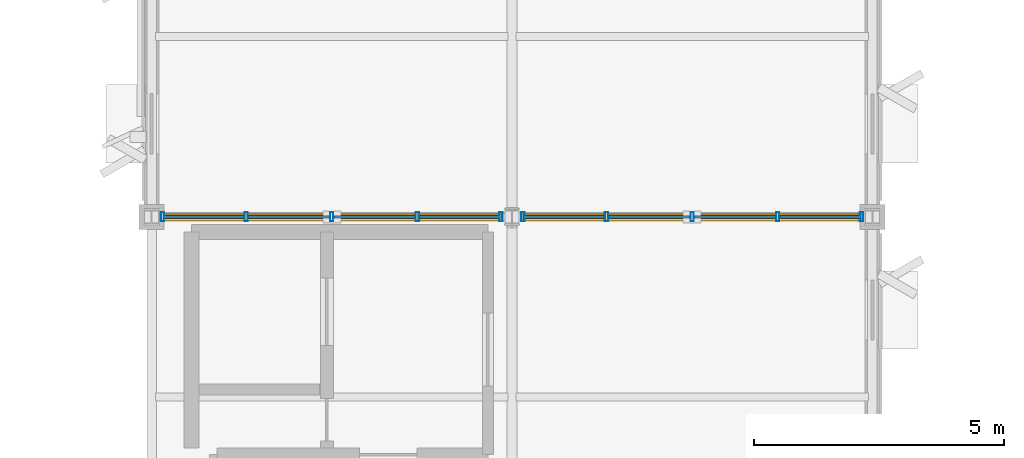
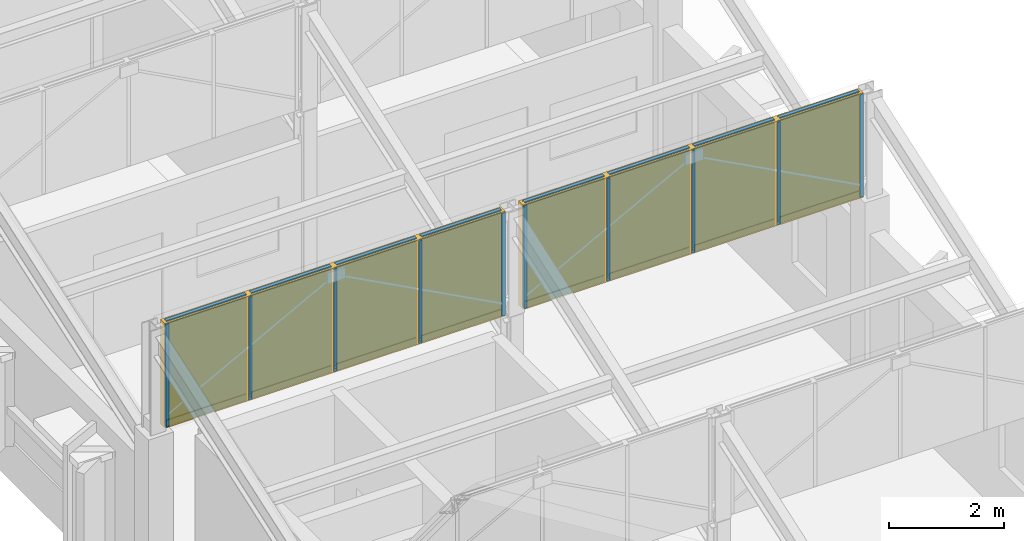
# One storey, part 53 of 82: 26 members, 8 plates, 2 curtain walls.
"""IFC4 building model written with IfcOpenShell, lengths in metres."""

from ifc_helpers import new_model, si_unit, direction, frame, origin, origin_2d, place, context, subcontext, project, spatial, rectangle, hollow_rectangle, extrude, material, layer, layer_set, material_profile, profile_set, type_object, element, aggregate, save


model = new_model("IFC4")

# Units and contexts
model_context = context("Model", 3, precision=1e-05, world=origin(), true_north=direction((0.0, 1.0)))
body_context = subcontext(model_context, "Body", "Model", "MODEL_VIEW")
ifc_project = project(units=[si_unit("LENGTHUNIT", "METRE"), si_unit("AREAUNIT", "SQUARE_METRE"), si_unit("VOLUMEUNIT", "CUBIC_METRE"), si_unit("PLANEANGLEUNIT", "RADIAN"), si_unit("MASSUNIT", "GRAM", prefix="KILO")], contexts=[model_context])

# Member
ifc_material_1 = material(Name="Anodized Aluminium 6063-T6", Category="aluminium")
ifc_material_profile_1 = material_profile(ifc_material_1, hollow_rectangle(XDim=0.06494140625, YDim=0.179931640625, WallThickness=0.00390625, at=origin_2d()), Name="ALU 65x180x4")
ifc_profile_set_1 = profile_set([ifc_material_profile_1], Name="Anodized Aluminium 6063-T6")
member_type_1 = type_object("IfcMemberType", Name="CWM-65X150", PredefinedType="MULLION", material=ifc_profile_set_1)
site_placement = place(None, origin())
building_placement = place(site_placement, origin())
storey_placement = place(building_placement, frame((0.0, 0.0, 14.10009765625)))
member_1_placement = place(storey_placement, frame((122.6201171875, 64.800048828125, 3.919921875), z_axis=(0.0, 0.0, 1.0), x_axis=(1.0, 0.0, 0.0)))
member_1 = element("IfcMember", 1, at=member_1_placement, type_object=member_type_1, Name="Curtain wall mullion CW-CLER-17-08-00", PredefinedType="MULLION", context=body_context, shape_type="SweptSolid", body=[
    extrude(hollow_rectangle(XDim=0.06494140625, YDim=0.179931640625, WallThickness=0.00390625, at=origin_2d()), origin(), (0.0, 0.0, 1.0), 2.179931640625),
])

member_2_placement = place(storey_placement, frame((124.2900390625, 64.800048828125, 3.919921875), z_axis=(0.0, 0.0, 1.0), x_axis=(1.0, 0.0, 0.0)))
member_2 = element("IfcMember", 2, at=member_2_placement, type_object=member_type_1, Name="Curtain wall mullion CW-CLER-17-08-01", PredefinedType="MULLION", context=body_context, shape_type="SweptSolid", body=[
    extrude(hollow_rectangle(XDim=0.06494140625, YDim=0.179931640625, WallThickness=0.00390625, at=origin_2d()), origin(), (0.0, 0.0, 1.0), 2.179931640625),
])

member_3_placement = place(storey_placement, frame((126.0, 64.800048828125, 3.919921875), z_axis=(0.0, 0.0, 1.0), x_axis=(1.0, 0.0, 0.0)))
member_3 = element("IfcMember", 3, at=member_3_placement, type_object=member_type_1, Name="Curtain wall mullion CW-CLER-17-08-02", PredefinedType="MULLION", context=body_context, shape_type="SweptSolid", body=[
    extrude(hollow_rectangle(XDim=0.06494140625, YDim=0.179931640625, WallThickness=0.00390625, at=origin_2d()), origin(), (0.0, 0.0, 1.0), 2.179931640625),
])

member_4_placement = place(storey_placement, frame((127.7099609375, 64.800048828125, 3.919921875), z_axis=(0.0, 0.0, 1.0), x_axis=(1.0, 0.0, 0.0)))
member_4 = element("IfcMember", 4, at=member_4_placement, type_object=member_type_1, Name="Curtain wall mullion CW-CLER-17-08-03", PredefinedType="MULLION", context=body_context, shape_type="SweptSolid", body=[
    extrude(hollow_rectangle(XDim=0.06494140625, YDim=0.179931640625, WallThickness=0.00390625, at=origin_2d()), origin(), (0.0, 0.0, 1.0), 2.179931640625),
])

member_5_placement = place(storey_placement, frame((129.3798828125, 64.800048828125, 3.919921875), z_axis=(0.0, 0.0, 1.0), x_axis=(1.0, 0.0, 0.0)))
member_5 = element("IfcMember", 5, at=member_5_placement, type_object=member_type_1, Name="Curtain wall mullion CW-CLER-17-08-04", PredefinedType="MULLION", context=body_context, shape_type="SweptSolid", body=[
    extrude(hollow_rectangle(XDim=0.06494140625, YDim=0.179931640625, WallThickness=0.00390625, at=origin_2d()), origin(), (0.0, 0.0, 1.0), 2.179931640625),
])

member_6_placement = place(storey_placement, frame((129.820068359375, 64.800048828125, 3.919921875), z_axis=(0.0, 0.0, 1.0), x_axis=(1.0, 0.0, 0.0)))
member_6 = element("IfcMember", 6, at=member_6_placement, type_object=member_type_1, Name="Curtain wall mullion CW-CLER-18-08-00", PredefinedType="MULLION", context=body_context, shape_type="SweptSolid", body=[
    extrude(hollow_rectangle(XDim=0.06494140625, YDim=0.179931640625, WallThickness=0.00390625, at=origin_2d()), origin(), (0.0, 0.0, 1.0), 2.179931640625),
])

member_7_placement = place(storey_placement, frame((131.489990234375, 64.800048828125, 3.919921875), z_axis=(0.0, 0.0, 1.0), x_axis=(1.0, 0.0, 0.0)))
member_7 = element("IfcMember", 7, at=member_7_placement, type_object=member_type_1, Name="Curtain wall mullion CW-CLER-18-08-01", PredefinedType="MULLION", context=body_context, shape_type="SweptSolid", body=[
    extrude(hollow_rectangle(XDim=0.06494140625, YDim=0.179931640625, WallThickness=0.00390625, at=origin_2d()), origin(), (0.0, 0.0, 1.0), 2.179931640625),
])

member_8_placement = place(storey_placement, frame((133.199951171875, 64.800048828125, 3.919921875), z_axis=(0.0, 0.0, 1.0), x_axis=(1.0, 0.0, 0.0)))
member_8 = element("IfcMember", 8, at=member_8_placement, type_object=member_type_1, Name="Curtain wall mullion CW-CLER-18-08-02", PredefinedType="MULLION", context=body_context, shape_type="SweptSolid", body=[
    extrude(hollow_rectangle(XDim=0.06494140625, YDim=0.179931640625, WallThickness=0.00390625, at=origin_2d()), origin(), (0.0, 0.0, 1.0), 2.179931640625),
])

member_9_placement = place(storey_placement, frame((134.909912109375, 64.800048828125, 3.919921875), z_axis=(0.0, 0.0, 1.0), x_axis=(1.0, 0.0, 0.0)))
member_9 = element("IfcMember", 9, at=member_9_placement, type_object=member_type_1, Name="Curtain wall mullion CW-CLER-18-08-03", PredefinedType="MULLION", context=body_context, shape_type="SweptSolid", body=[
    extrude(hollow_rectangle(XDim=0.06494140625, YDim=0.179931640625, WallThickness=0.00390625, at=origin_2d()), origin(), (0.0, 0.0, 1.0), 2.179931640625),
])

member_10_placement = place(storey_placement, frame((136.580078125, 64.800048828125, 3.919921875), z_axis=(0.0, 0.0, 1.0), x_axis=(1.0, 0.0, 0.0)))
member_10 = element("IfcMember", 10, at=member_10_placement, type_object=member_type_1, Name="Curtain wall mullion CW-CLER-18-08-04", PredefinedType="MULLION", context=body_context, shape_type="SweptSolid", body=[
    extrude(hollow_rectangle(XDim=0.06494140625, YDim=0.179931640625, WallThickness=0.00390625, at=origin_2d()), origin(), (0.0, 0.0, 1.0), 2.179931640625),
])

ifc_material_profile_2 = material_profile(ifc_material_1, hollow_rectangle(XDim=0.06494140625, YDim=0.139892578125, WallThickness=0.00390625, at=origin_2d()), Name="ALU 65x140x4")
ifc_profile_set_2 = profile_set([ifc_material_profile_2], Name="Anodized Aluminium 6063-T6")
member_type_2 = type_object("IfcMemberType", Name="CWT-65X120", PredefinedType="USERDEFINED", material=ifc_profile_set_2)
member_11_placement = place(storey_placement, frame((122.6298828125, 64.800048828125, 3.949951171875), z_axis=(1.0, 0.0, 0.0), x_axis=(0.0, 1.0, 0.0)))
member_11 = element("IfcMember", 11, at=member_11_placement, type_object=member_type_2, Name="Curtain wall transom CW-CLER-17-08-1.01", ObjectType="TRANSOM", PredefinedType="USERDEFINED", context=body_context, shape_type="SweptSolid", body=[
    extrude(hollow_rectangle(XDim=0.06494140625, YDim=0.139892578125, WallThickness=0.00390625, at=origin_2d()), origin(), (0.0, 0.0, 1.0), 1.610107421875),
])

member_12_placement = place(storey_placement, frame((124.340087890625, 64.800048828125, 3.949951171875), z_axis=(1.0, 0.0, 0.0), x_axis=(0.0, 1.0, 0.0)))
member_12 = element("IfcMember", 12, at=member_12_placement, type_object=member_type_2, Name="Curtain wall transom CW-CLER-17-08-1.02", ObjectType="TRANSOM", PredefinedType="USERDEFINED", context=body_context, shape_type="SweptSolid", body=[
    extrude(hollow_rectangle(XDim=0.06494140625, YDim=0.139892578125, WallThickness=0.00390625, at=origin_2d()), origin(), (0.0, 0.0, 1.0), 1.60986328125),
])

member_13_placement = place(storey_placement, frame((126.050048828125, 64.800048828125, 3.949951171875), z_axis=(1.0, 0.0, 0.0), x_axis=(0.0, 1.0, 0.0)))
member_13 = element("IfcMember", 13, at=member_13_placement, type_object=member_type_2, Name="Curtain wall transom CW-CLER-17-08-1.03", ObjectType="TRANSOM", PredefinedType="USERDEFINED", context=body_context, shape_type="SweptSolid", body=[
    extrude(hollow_rectangle(XDim=0.06494140625, YDim=0.139892578125, WallThickness=0.00390625, at=origin_2d()), origin(), (0.0, 0.0, 1.0), 1.60986328125),
])

member_14_placement = place(storey_placement, frame((127.760009765625, 64.800048828125, 3.949951171875), z_axis=(1.0, 0.0, 0.0), x_axis=(0.0, 1.0, 0.0)))
member_14 = element("IfcMember", 14, at=member_14_placement, type_object=member_type_2, Name="Curtain wall transom CW-CLER-17-08-1.04", ObjectType="TRANSOM", PredefinedType="USERDEFINED", context=body_context, shape_type="SweptSolid", body=[
    extrude(hollow_rectangle(XDim=0.06494140625, YDim=0.139892578125, WallThickness=0.00390625, at=origin_2d()), origin(), (0.0, 0.0, 1.0), 1.610107421875),
])

member_15_placement = place(storey_placement, frame((122.6298828125, 64.800048828125, 6.06982421875), z_axis=(1.0, 0.0, 0.0), x_axis=(0.0, 1.0, 0.0)))
member_15 = element("IfcMember", 15, at=member_15_placement, type_object=member_type_2, Name="Curtain wall transom CW-CLER-17-08-2.01", ObjectType="TRANSOM", PredefinedType="USERDEFINED", context=body_context, shape_type="SweptSolid", body=[
    extrude(hollow_rectangle(XDim=0.06494140625, YDim=0.139892578125, WallThickness=0.00390625, at=origin_2d()), origin(), (0.0, 0.0, 1.0), 1.610107421875),
])

member_16_placement = place(storey_placement, frame((124.340087890625, 64.800048828125, 6.06982421875), z_axis=(1.0, 0.0, 0.0), x_axis=(0.0, 1.0, 0.0)))
member_16 = element("IfcMember", 16, at=member_16_placement, type_object=member_type_2, Name="Curtain wall transom CW-CLER-17-08-2.02", ObjectType="TRANSOM", PredefinedType="USERDEFINED", context=body_context, shape_type="SweptSolid", body=[
    extrude(hollow_rectangle(XDim=0.06494140625, YDim=0.139892578125, WallThickness=0.00390625, at=origin_2d()), origin(), (0.0, 0.0, 1.0), 1.60986328125),
])

member_17_placement = place(storey_placement, frame((126.050048828125, 64.800048828125, 6.06982421875), z_axis=(1.0, 0.0, 0.0), x_axis=(0.0, 1.0, 0.0)))
member_17 = element("IfcMember", 17, at=member_17_placement, type_object=member_type_2, Name="Curtain wall transom CW-CLER-17-08-2.03", ObjectType="TRANSOM", PredefinedType="USERDEFINED", context=body_context, shape_type="SweptSolid", body=[
    extrude(hollow_rectangle(XDim=0.06494140625, YDim=0.139892578125, WallThickness=0.00390625, at=origin_2d()), origin(), (0.0, 0.0, 1.0), 1.60986328125),
])

member_18_placement = place(storey_placement, frame((127.760009765625, 64.800048828125, 6.06982421875), z_axis=(1.0, 0.0, 0.0), x_axis=(0.0, 1.0, 0.0)))
member_18 = element("IfcMember", 18, at=member_18_placement, type_object=member_type_2, Name="Curtain wall transom CW-CLER-17-08-2.04", ObjectType="TRANSOM", PredefinedType="USERDEFINED", context=body_context, shape_type="SweptSolid", body=[
    extrude(hollow_rectangle(XDim=0.06494140625, YDim=0.139892578125, WallThickness=0.00390625, at=origin_2d()), origin(), (0.0, 0.0, 1.0), 1.610107421875),
])

member_19_placement = place(storey_placement, frame((129.830078125, 64.800048828125, 3.949951171875), z_axis=(1.0, 0.0, 0.0), x_axis=(0.0, 1.0, 0.0)))
member_19 = element("IfcMember", 19, at=member_19_placement, type_object=member_type_2, Name="Curtain wall transom CW-CLER-18-08-1.01", ObjectType="TRANSOM", PredefinedType="USERDEFINED", context=body_context, shape_type="SweptSolid", body=[
    extrude(hollow_rectangle(XDim=0.06494140625, YDim=0.139892578125, WallThickness=0.00390625, at=origin_2d()), origin(), (0.0, 0.0, 1.0), 1.60986328125),
])

member_20_placement = place(storey_placement, frame((131.5400390625, 64.800048828125, 3.949951171875), z_axis=(1.0, 0.0, 0.0), x_axis=(0.0, 1.0, 0.0)))
member_20 = element("IfcMember", 20, at=member_20_placement, type_object=member_type_2, Name="Curtain wall transom CW-CLER-18-08-1.02", ObjectType="TRANSOM", PredefinedType="USERDEFINED", context=body_context, shape_type="SweptSolid", body=[
    extrude(hollow_rectangle(XDim=0.06494140625, YDim=0.139892578125, WallThickness=0.00390625, at=origin_2d()), origin(), (0.0, 0.0, 1.0), 1.60986328125),
])

member_21_placement = place(storey_placement, frame((133.25, 64.800048828125, 3.949951171875), z_axis=(1.0, 0.0, 0.0), x_axis=(0.0, 1.0, 0.0)))
member_21 = element("IfcMember", 21, at=member_21_placement, type_object=member_type_2, Name="Curtain wall transom CW-CLER-18-08-1.03", ObjectType="TRANSOM", PredefinedType="USERDEFINED", context=body_context, shape_type="SweptSolid", body=[
    extrude(hollow_rectangle(XDim=0.06494140625, YDim=0.139892578125, WallThickness=0.00390625, at=origin_2d()), origin(), (0.0, 0.0, 1.0), 1.610107421875),
])

member_22_placement = place(storey_placement, frame((134.9599609375, 64.800048828125, 3.949951171875), z_axis=(1.0, 0.0, 0.0), x_axis=(0.0, 1.0, 0.0)))
member_22 = element("IfcMember", 22, at=member_22_placement, type_object=member_type_2, Name="Curtain wall transom CW-CLER-18-08-1.04", ObjectType="TRANSOM", PredefinedType="USERDEFINED", context=body_context, shape_type="SweptSolid", body=[
    extrude(hollow_rectangle(XDim=0.06494140625, YDim=0.139892578125, WallThickness=0.00390625, at=origin_2d()), origin(), (0.0, 0.0, 1.0), 1.610107421875),
])

member_23_placement = place(storey_placement, frame((129.830078125, 64.800048828125, 6.06982421875), z_axis=(1.0, 0.0, 0.0), x_axis=(0.0, 1.0, 0.0)))
member_23 = element("IfcMember", 23, at=member_23_placement, type_object=member_type_2, Name="Curtain wall transom CW-CLER-18-08-2.01", ObjectType="TRANSOM", PredefinedType="USERDEFINED", context=body_context, shape_type="SweptSolid", body=[
    extrude(hollow_rectangle(XDim=0.06494140625, YDim=0.139892578125, WallThickness=0.00390625, at=origin_2d()), origin(), (0.0, 0.0, 1.0), 1.60986328125),
])

member_24_placement = place(storey_placement, frame((131.5400390625, 64.800048828125, 6.06982421875), z_axis=(1.0, 0.0, 0.0), x_axis=(0.0, 1.0, 0.0)))
member_24 = element("IfcMember", 24, at=member_24_placement, type_object=member_type_2, Name="Curtain wall transom CW-CLER-18-08-2.02", ObjectType="TRANSOM", PredefinedType="USERDEFINED", context=body_context, shape_type="SweptSolid", body=[
    extrude(hollow_rectangle(XDim=0.06494140625, YDim=0.139892578125, WallThickness=0.00390625, at=origin_2d()), origin(), (0.0, 0.0, 1.0), 1.60986328125),
])

member_25_placement = place(storey_placement, frame((133.25, 64.800048828125, 6.06982421875), z_axis=(1.0, 0.0, 0.0), x_axis=(0.0, 1.0, 0.0)))
member_25 = element("IfcMember", 25, at=member_25_placement, type_object=member_type_2, Name="Curtain wall transom CW-CLER-18-08-2.03", ObjectType="TRANSOM", PredefinedType="USERDEFINED", context=body_context, shape_type="SweptSolid", body=[
    extrude(hollow_rectangle(XDim=0.06494140625, YDim=0.139892578125, WallThickness=0.00390625, at=origin_2d()), origin(), (0.0, 0.0, 1.0), 1.610107421875),
])

member_26_placement = place(storey_placement, frame((134.9599609375, 64.800048828125, 6.06982421875), z_axis=(1.0, 0.0, 0.0), x_axis=(0.0, 1.0, 0.0)))
member_26 = element("IfcMember", 26, at=member_26_placement, type_object=member_type_2, Name="Curtain wall transom CW-CLER-18-08-2.04", ObjectType="TRANSOM", PredefinedType="USERDEFINED", context=body_context, shape_type="SweptSolid", body=[
    extrude(hollow_rectangle(XDim=0.06494140625, YDim=0.139892578125, WallThickness=0.00390625, at=origin_2d()), origin(), (0.0, 0.0, 1.0), 1.610107421875),
])

# Plate
ifc_material_2 = material(Name="North-Light Clear Diffusing Glazing", Category="glass")
ifc_layer = layer(ifc_material_2, 0.035888671875)
ifc_layer_set = layer_set([ifc_layer], Name="North-Light Clear Diffusing Glazing")
plate_type = type_object("IfcPlateType", Name="CWP-IGU-CL", PredefinedType="CURTAIN_PANEL", material=ifc_layer_set)
plate_1_placement = place(storey_placement, frame((123.43505859375, 64.800048828125, 3.9599609375), z_axis=(0.0, 0.0, 1.0), x_axis=(1.0, 0.0, 0.0)))
plate_1 = element("IfcPlate", 27, at=plate_1_placement, type_object=plate_type, Name="Curtain wall vision glazing CW-CLER-17-08-01", PredefinedType="CURTAIN_PANEL", context=body_context, shape_type="SweptSolid", body=[
    extrude(rectangle(XDim=1.6201171875, YDim=0.0400390625, at=origin_2d()), origin(), (0.0, 0.0, 1.0), 2.10009765625),
])

plate_2_placement = place(storey_placement, frame((125.14501953125, 64.800048828125, 3.9599609375), z_axis=(0.0, 0.0, 1.0), x_axis=(1.0, 0.0, 0.0)))
plate_2 = element("IfcPlate", 28, at=plate_2_placement, type_object=plate_type, Name="Curtain wall vision glazing CW-CLER-17-08-02", PredefinedType="CURTAIN_PANEL", context=body_context, shape_type="SweptSolid", body=[
    extrude(rectangle(XDim=1.6201171875, YDim=0.0400390625, at=origin_2d()), origin(), (0.0, 0.0, 1.0), 2.10009765625),
])

plate_3_placement = place(storey_placement, frame((126.85498046875, 64.800048828125, 3.9599609375), z_axis=(0.0, 0.0, 1.0), x_axis=(1.0, 0.0, 0.0)))
plate_3 = element("IfcPlate", 29, at=plate_3_placement, type_object=plate_type, Name="Curtain wall vision glazing CW-CLER-17-08-03", PredefinedType="CURTAIN_PANEL", context=body_context, shape_type="SweptSolid", body=[
    extrude(rectangle(XDim=1.6201171875, YDim=0.0400390625, at=origin_2d()), origin(), (0.0, 0.0, 1.0), 2.10009765625),
])

plate_4_placement = place(storey_placement, frame((128.56494140625, 64.800048828125, 3.9599609375), z_axis=(0.0, 0.0, 1.0), x_axis=(1.0, 0.0, 0.0)))
plate_4 = element("IfcPlate", 30, at=plate_4_placement, type_object=plate_type, Name="Curtain wall vision glazing CW-CLER-17-08-04", PredefinedType="CURTAIN_PANEL", context=body_context, shape_type="SweptSolid", body=[
    extrude(rectangle(XDim=1.6201171875, YDim=0.0400390625, at=origin_2d()), origin(), (0.0, 0.0, 1.0), 2.10009765625),
])

plate_5_placement = place(storey_placement, frame((130.635009765625, 64.800048828125, 3.9599609375), z_axis=(0.0, 0.0, 1.0), x_axis=(1.0, 0.0, 0.0)))
plate_5 = element("IfcPlate", 31, at=plate_5_placement, type_object=plate_type, Name="Curtain wall vision glazing CW-CLER-18-08-01", PredefinedType="CURTAIN_PANEL", context=body_context, shape_type="SweptSolid", body=[
    extrude(rectangle(XDim=1.6201171875, YDim=0.0400390625, at=origin_2d()), origin(), (0.0, 0.0, 1.0), 2.10009765625),
])

plate_6_placement = place(storey_placement, frame((132.344970703125, 64.800048828125, 3.9599609375), z_axis=(0.0, 0.0, 1.0), x_axis=(1.0, 0.0, 0.0)))
plate_6 = element("IfcPlate", 32, at=plate_6_placement, type_object=plate_type, Name="Curtain wall vision glazing CW-CLER-18-08-02", PredefinedType="CURTAIN_PANEL", context=body_context, shape_type="SweptSolid", body=[
    extrude(rectangle(XDim=1.6201171875, YDim=0.0400390625, at=origin_2d()), origin(), (0.0, 0.0, 1.0), 2.10009765625),
])

plate_7_placement = place(storey_placement, frame((134.054931640625, 64.800048828125, 3.9599609375), z_axis=(0.0, 0.0, 1.0), x_axis=(1.0, 0.0, 0.0)))
plate_7 = element("IfcPlate", 33, at=plate_7_placement, type_object=plate_type, Name="Curtain wall vision glazing CW-CLER-18-08-03", PredefinedType="CURTAIN_PANEL", context=body_context, shape_type="SweptSolid", body=[
    extrude(rectangle(XDim=1.6201171875, YDim=0.0400390625, at=origin_2d()), origin(), (0.0, 0.0, 1.0), 2.10009765625),
])

plate_8_placement = place(storey_placement, frame((135.764892578125, 64.800048828125, 3.9599609375), z_axis=(0.0, 0.0, 1.0), x_axis=(1.0, 0.0, 0.0)))
plate_8 = element("IfcPlate", 34, at=plate_8_placement, type_object=plate_type, Name="Curtain wall vision glazing CW-CLER-18-08-04", PredefinedType="CURTAIN_PANEL", context=body_context, shape_type="SweptSolid", body=[
    extrude(rectangle(XDim=1.6201171875, YDim=0.0400390625, at=origin_2d()), origin(), (0.0, 0.0, 1.0), 2.10009765625),
])

# Site, building, storey
site = spatial("IfcSite", under=ifc_project, at=site_placement, CompositionType="ELEMENT")
building = spatial("IfcBuilding", under=site, at=building_placement, Name="Sillqori Civic Hall", CompositionType="ELEMENT")
storey = spatial("IfcBuildingStorey", under=building, at=storey_placement, Name="L04", CompositionType="ELEMENT", Elevation=14.10009765625)

# Curtain wall
ifc_material_3 = material(Name="Anodized Aluminium Curtain Wall System", Category="aluminium")
curtain_wall_type = type_object("IfcCurtainWallType", Name="CW-CL-205", PredefinedType="NOTDEFINED", material=ifc_material_3)
curtain_wall_1_placement = place(storey_placement, frame((126.0, 64.800048828125, 3.89990234375), z_axis=(0.0, 0.0, 1.0), x_axis=(1.0, 0.0, 0.0)))
curtain_wall_1 = element("IfcCurtainWall", 35, at=curtain_wall_1_placement, inside=storey, type_object=curtain_wall_type, Name="L04 unitised curtain wall CW-CLER-17-08", PredefinedType="NOTDEFINED", context=body_context, shape_type="SweptSolid", body=[
    extrude(rectangle(XDim=6.840087890625, YDim=0.159912109375, at=origin_2d()), origin(), (0.0, 0.0, 1.0), 2.219970703125),
])

aggregate(curtain_wall_1, [member_1, member_2, member_3, member_4, member_5, member_11, member_12, member_13, member_14, member_15, member_16, member_17, member_18, plate_1, plate_2, plate_3, plate_4])

curtain_wall_2_placement = place(storey_placement, frame((133.199951171875, 64.800048828125, 3.89990234375), z_axis=(0.0, 0.0, 1.0), x_axis=(1.0, 0.0, 0.0)))
curtain_wall_2 = element("IfcCurtainWall", 36, at=curtain_wall_2_placement, inside=storey, type_object=curtain_wall_type, Name="L04 unitised curtain wall CW-CLER-18-08", PredefinedType="NOTDEFINED", context=body_context, shape_type="SweptSolid", body=[
    extrude(rectangle(XDim=6.840087890625, YDim=0.159912109375, at=origin_2d()), origin(), (0.0, 0.0, 1.0), 2.219970703125),
])

aggregate(curtain_wall_2, [member_6, member_7, member_8, member_9, member_10, member_19, member_20, member_21, member_22, member_23, member_24, member_25, member_26, plate_5, plate_6, plate_7, plate_8])

save(model, "model.ifc")
